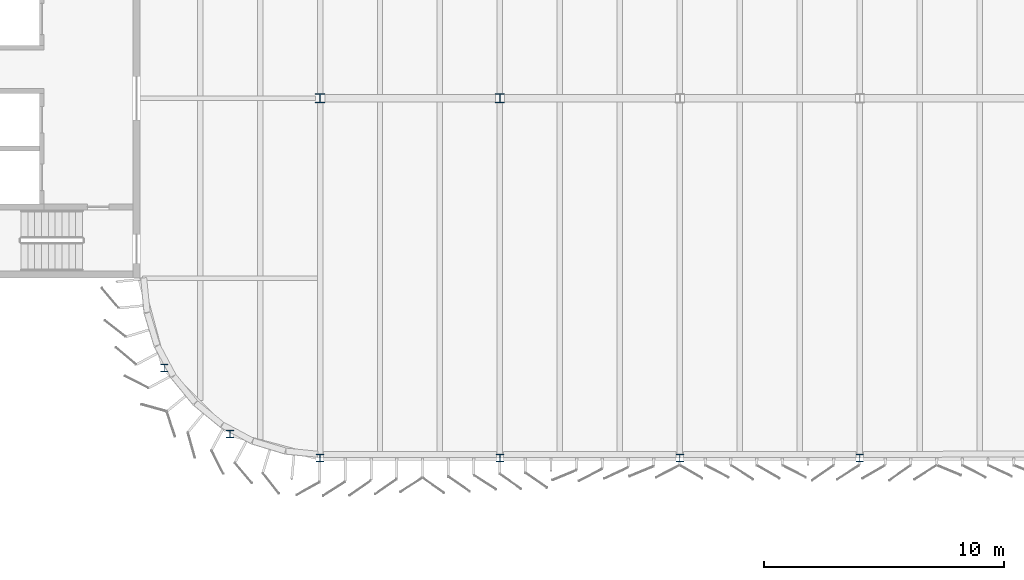
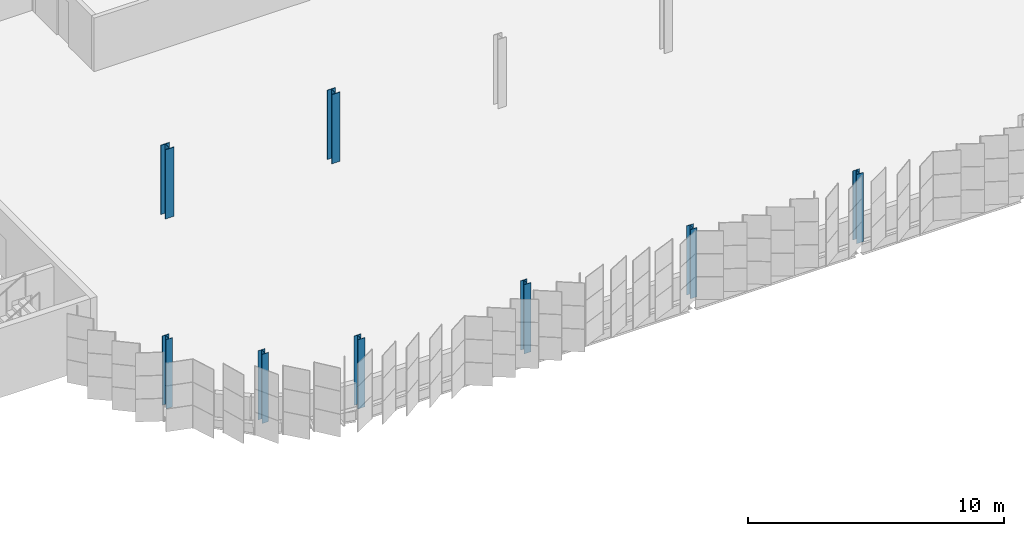
# One storey, part 9 of 199: 8 columns.
"""IFC4 building model written with IfcOpenShell, lengths in metres."""

from ifc_helpers import new_model, si_unit, direction, frame, origin, origin_2d, place, context, subcontext, project, spatial, i_section, extrude, material, material_profile, profile_set, type_object, element, save


model = new_model("IFC4")

# Units and contexts
model_context = context("Model", 3, precision=1e-05, world=origin(), true_north=direction((0.0, 1.0)))
body_context = subcontext(model_context, "Body", "Model", "MODEL_VIEW")
ifc_project = project(units=[si_unit("LENGTHUNIT", "METRE"), si_unit("AREAUNIT", "SQUARE_METRE"), si_unit("VOLUMEUNIT", "CUBIC_METRE"), si_unit("PLANEANGLEUNIT", "RADIAN"), si_unit("MASSUNIT", "GRAM", prefix="KILO")], contexts=[model_context])

# Site, building, storey
site_placement = place(None, origin())
site = spatial("IfcSite", under=ifc_project, at=site_placement, CompositionType="ELEMENT")
building_placement = place(site_placement, origin())
building = spatial("IfcBuilding", under=site, at=building_placement, Name="Parallax Yard Mobility Hub", CompositionType="ELEMENT")
storey_placement = place(building_placement, frame((0.0, 0.0, 9.89990234375)))
storey = spatial("IfcBuildingStorey", under=building, at=storey_placement, Name="L03", CompositionType="ELEMENT", Elevation=9.89990234375)

# Columns
ifc_material = material(Name="Steel ASTM A992", Category="steel")
ifc_material_profile_1 = material_profile(ifc_material, i_section(OverallWidth=0.306884765625, OverallDepth=0.318115234375, WebThickness=0.01318359375, FlangeThickness=0.0205078125, FilletRadius=0.01513671875, at=origin_2d()), Name="W310x129")
ifc_profile_set_1 = profile_set([ifc_material_profile_1], Name="Steel ASTM A992")
column_type_1 = type_object("IfcColumnType", Name="W310x129 column", PredefinedType="COLUMN", material=ifc_profile_set_1)
column_1_placement = place(storey_placement, frame((30.0, 112.5, 0.0), z_axis=(0.0, 0.0, 1.0), x_axis=(1.0, 0.0, 0.0)))
element("IfcColumn", 1, at=column_1_placement, inside=storey, type_object=column_type_1, Name="Column C3 level L03 at R/5 of ramped parking decks", PredefinedType="COLUMN", context=body_context, shape_type="SweptSolid", body=[
    extrude(i_section(OverallWidth=0.306884765625, OverallDepth=0.318115234375, WebThickness=0.01318359375, FlangeThickness=0.0205078125, FilletRadius=0.01513671875, at=origin_2d()), origin(), (0.0, 0.0, 1.0), 3.300048828125),
])
ifc_material_profile_2 = material_profile(ifc_material, i_section(OverallWidth=0.304931640625, OverallDepth=0.306884765625, WebThickness=0.010009765625, FlangeThickness=0.015380859375, FilletRadius=0.01513671875, at=origin_2d()), Name="W310x97")
ifc_profile_set_2 = profile_set([ifc_material_profile_2], Name="Steel ASTM A992")
column_type_2 = type_object("IfcColumnType", Name="W310x97 column", PredefinedType="COLUMN", material=ifc_profile_set_2)
for number, where, z_axis, x_axis, name in (
    (2, (37.5, 112.5, 0.0), (0.0, 0.0, 1.0), (1.0, 0.0, 0.0), "Column C1 level L03 at R/6 of ramped parking decks"),
    (3, (45.0, 112.5, 0.0), (0.0, 0.0, 1.0), (1.0, 0.0, 0.0), "Column C1 level L03 at R/7 of ramped parking decks"),
    (4, (52.5, 112.5, 0.0), (0.0, 0.0, 1.0), (1.0, 0.0, 0.0), "Column C1 level L03 at R/8 of ramped parking decks"),
    (5, (23.5048828125, 116.25, 0.0), (0.0, 0.0, 1.0), (1.0, 0.0, 0.0), "Column C1 level L03 at W-S1 of ramped parking decks"),
    (6, (26.25, 113.5048828125, 0.0), (0.0, 0.0, 1.0), (1.0, 0.0, 0.0), "Column C1 level L03 at W-S2 of ramped parking decks"),
):
    element("IfcColumn", number, at=place(storey_placement, frame(where, z_axis=z_axis, x_axis=x_axis)), inside=storey, type_object=column_type_2, Name=name, PredefinedType="COLUMN", context=body_context, shape_type="SweptSolid", body=[
        extrude(i_section(OverallWidth=0.304931640625, OverallDepth=0.306884765625, WebThickness=0.010009765625, FlangeThickness=0.015380859375, FilletRadius=0.01513671875, at=origin_2d()), origin(), (0.0, 0.0, 1.0), 3.300048828125),
    ])
ifc_material_profile_3 = material_profile(ifc_material, i_section(OverallWidth=0.373046875, OverallDepth=0.367919921875, WebThickness=0.014892578125, FlangeThickness=0.02392578125, FilletRadius=0.01513671875, at=origin_2d()), Name="W360x179")
ifc_profile_set_3 = profile_set([ifc_material_profile_3], Name="Steel ASTM A992")
column_type_3 = type_object("IfcColumnType", Name="W360x179 column", PredefinedType="COLUMN", material=ifc_profile_set_3)
column_2_placement = place(storey_placement, frame((37.5, 127.5, 0.0), z_axis=(0.0, 0.0, 1.0), x_axis=(1.0, 0.0, 0.0)))
element("IfcColumn", 7, at=column_2_placement, inside=storey, type_object=column_type_3, Name="Column C7 level L03 at T/6 of ramped parking decks", PredefinedType="COLUMN", context=body_context, shape_type="SweptSolid", body=[
    extrude(i_section(OverallWidth=0.373046875, OverallDepth=0.367919921875, WebThickness=0.014892578125, FlangeThickness=0.02392578125, FilletRadius=0.01513671875, at=origin_2d()), origin(), (0.0, 0.0, 1.0), 3.300048828125),
])
ifc_material_profile_4 = material_profile(ifc_material, i_section(OverallWidth=0.39599609375, OverallDepth=0.381103515625, WebThickness=0.018798828125, FlangeThickness=0.0302734375, FilletRadius=0.015380859375, at=origin_2d()), Name="W360x237")
ifc_profile_set_4 = profile_set([ifc_material_profile_4], Name="Steel ASTM A992")
column_type_4 = type_object("IfcColumnType", Name="W360x237 column", PredefinedType="COLUMN", material=ifc_profile_set_4)
column_3_placement = place(storey_placement, frame((30.0, 127.5, 0.0), z_axis=(0.0, 0.0, 1.0), x_axis=(1.0, 0.0, 0.0)))
element("IfcColumn", 8, at=column_3_placement, inside=storey, type_object=column_type_4, Name="Column C10 level L03 at T/5 of ramped parking decks", PredefinedType="COLUMN", context=body_context, shape_type="SweptSolid", body=[
    extrude(i_section(OverallWidth=0.39599609375, OverallDepth=0.381103515625, WebThickness=0.018798828125, FlangeThickness=0.0302734375, FilletRadius=0.015380859375, at=origin_2d()), origin(), (0.0, 0.0, 1.0), 3.300048828125),
])

save(model, "model.ifc")
